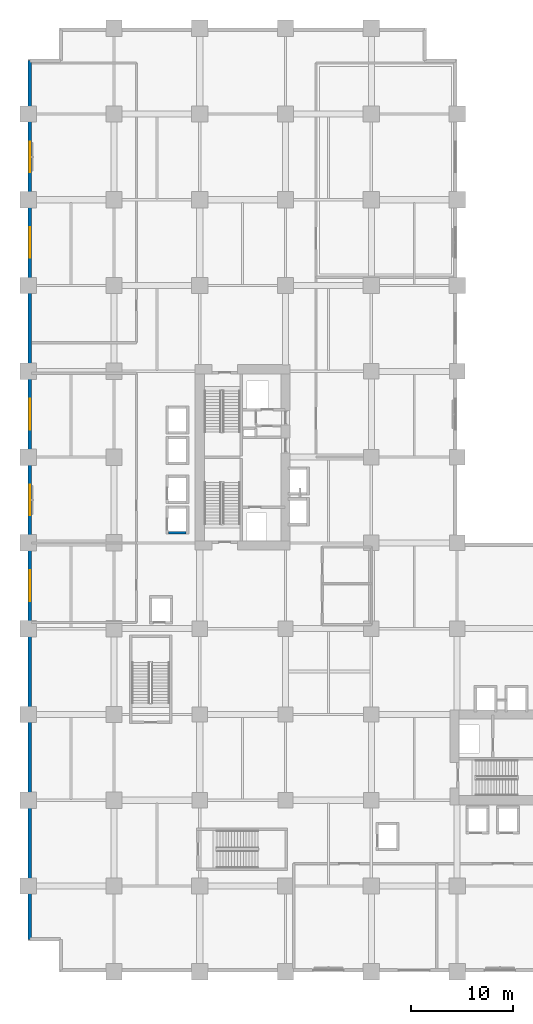
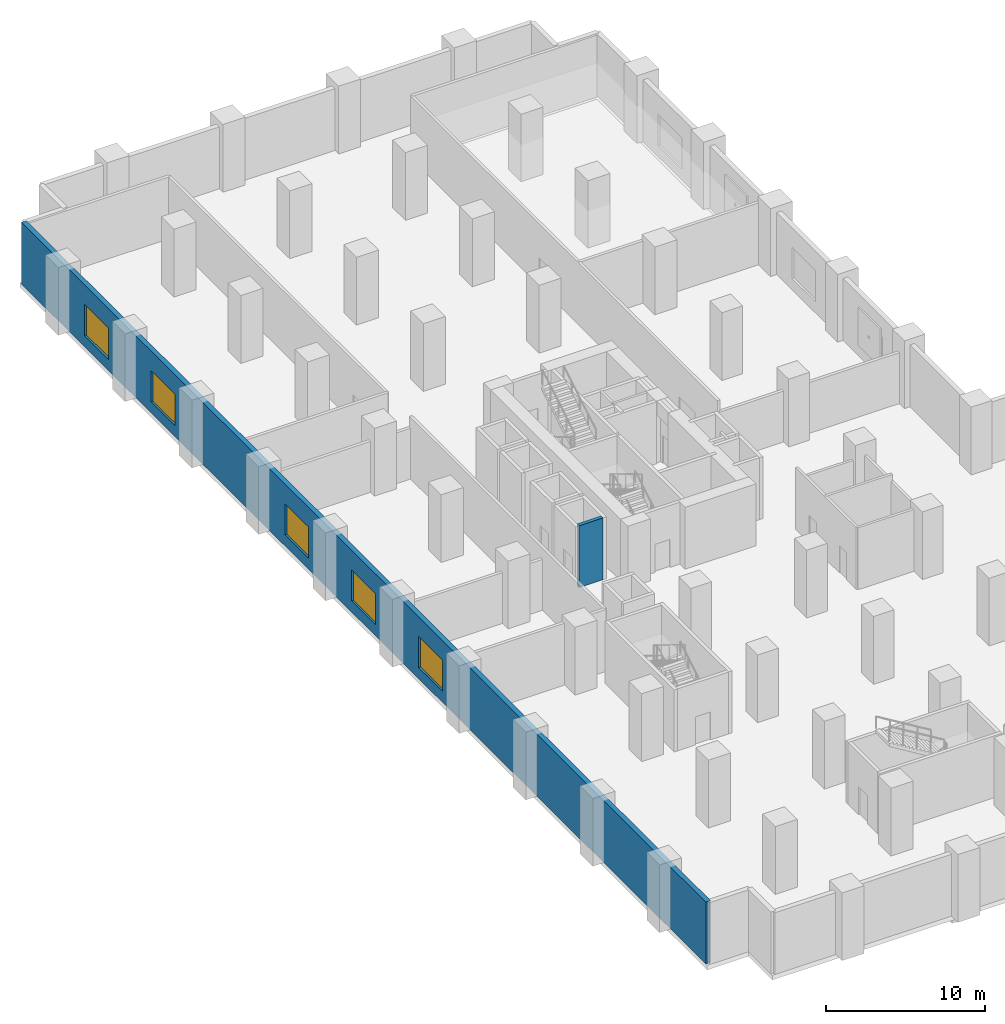
# One storey, part 11 of 23: 5 windows, 2 walls, 5 openings.
"""IFC4 building model written with IfcOpenShell, lengths in metres."""

from ifc_helpers import new_model, si_unit, direction, frame, frame_2d, origin, place, context, subcontext, project, spatial, rectangle, extrude, material, layer, layer_set, type_object, element, fill, save


model = new_model("IFC4")

# Units and contexts
model_context = context("Model", 3, precision=1e-05, world=origin(), true_north=direction((0.0, 1.0)))
body_context = subcontext(model_context, "Body", "Model", "MODEL_VIEW")
ifc_project = project(units=[si_unit("LENGTHUNIT", "METRE"), si_unit("AREAUNIT", "SQUARE_METRE"), si_unit("VOLUMEUNIT", "CUBIC_METRE"), si_unit("PLANEANGLEUNIT", "RADIAN"), si_unit("MASSUNIT", "GRAM", prefix="KILO")], contexts=[model_context])

# Site, building, storey
site_placement = place(None, origin())
site = spatial("IfcSite", under=ifc_project, at=site_placement, CompositionType="ELEMENT")
building_placement = place(site_placement, origin())
building = spatial("IfcBuilding", under=site, at=building_placement, Name="Koriwani Terraces Tower", CompositionType="ELEMENT")
storey_placement = place(building_placement, frame((0.0, 0.0, 20.800048828125)))
storey = spatial("IfcBuildingStorey", under=building, at=storey_placement, Name="L04", CompositionType="ELEMENT", Elevation=20.800048828125)

# Wall, openings, windows
ifc_material_1 = material(Name="Concrete C50/60", Category="concrete")
ifc_layer_1 = layer(ifc_material_1, 0.35009765625, Name="Concrete C50/60")
ifc_layer_set_1 = layer_set([ifc_layer_1], Name="Concrete C50/60")
wall_type_1 = type_object("IfcWallType", Name="WALL_EXT_BRUTALIST_350", PredefinedType="STANDARD", material=ifc_layer_set_1)
wall_1_placement = place(storey_placement, frame((0.175048828125, 3.175048828125, 0.0), z_axis=(0.0, 0.0, 1.0), x_axis=(0.0, 1.0, 0.0)))
wall_1 = element("IfcWall", 1, at=wall_1_placement, inside=storey, type_object=wall_type_1, Name="L04 Fair-Faced Brutalist Exterior Wall (W)", PredefinedType="STANDARD", context=body_context, shape_type="SweptSolid", body=[
    extrude(rectangle(XDim=86.050048828125, YDim=0.35009765625, at=frame_2d((43.02490234375, 0.0))), origin(), (0.0, 0.0, 1.0), 4.75),
])
opening_1_placement = place(wall_1_placement, frame((33.125, 0.0, 0.85009765625)))
opening_1 = element("IfcOpeningElement", 2, at=opening_1_placement, cuts=wall_1, Name="Opening W-06", PredefinedType="OPENING", context=body_context, shape_type="SweptSolid", body=[
    extrude(rectangle(XDim=3.0, YDim=2.39990234375, at=frame_2d((1.5, 1.199951171875))), frame((0.0, 0.18505859375, 0.0), z_axis=(0.0, -1.0, 0.0), x_axis=(1.0, 0.0, 0.0)), (0.0, 0.0, 1.0), 0.3701171875),
])
opening_2_placement = place(wall_1_placement, frame((41.52490234375, 0.0, 0.85009765625)))
opening_2 = element("IfcOpeningElement", 3, at=opening_2_placement, cuts=wall_1, Name="Opening W-06", PredefinedType="OPENING", context=body_context, shape_type="SweptSolid", body=[
    extrude(rectangle(XDim=3.0, YDim=2.39990234375, at=frame_2d((1.5, 1.199951171875))), frame((0.0, 0.18505859375, 0.0), z_axis=(0.0, -1.0, 0.0), x_axis=(1.0, 0.0, 0.0)), (0.0, 0.0, 1.0), 0.3701171875),
])
opening_3_placement = place(wall_1_placement, frame((49.925048828125, 0.0, 0.85009765625)))
opening_3 = element("IfcOpeningElement", 4, at=opening_3_placement, cuts=wall_1, Name="Opening W-06", PredefinedType="OPENING", context=body_context, shape_type="SweptSolid", body=[
    extrude(rectangle(XDim=3.0, YDim=2.39990234375, at=frame_2d((1.5, 1.199951171875))), frame((0.0, 0.18505859375, 0.0), z_axis=(0.0, -1.0, 0.0), x_axis=(1.0, 0.0, 0.0)), (0.0, 0.0, 1.0), 0.3701171875),
])
opening_4_placement = place(wall_1_placement, frame((66.72509765625, 0.0, 0.85009765625)))
opening_4 = element("IfcOpeningElement", 5, at=opening_4_placement, cuts=wall_1, Name="Opening W-06", PredefinedType="OPENING", context=body_context, shape_type="SweptSolid", body=[
    extrude(rectangle(XDim=3.0, YDim=2.39990234375, at=frame_2d((1.5, 1.199951171875))), frame((0.0, 0.18505859375, 0.0), z_axis=(0.0, -1.0, 0.0), x_axis=(1.0, 0.0, 0.0)), (0.0, 0.0, 1.0), 0.3701171875),
])
opening_5_placement = place(wall_1_placement, frame((75.125, 0.0, 0.85009765625)))
opening_5 = element("IfcOpeningElement", 6, at=opening_5_placement, cuts=wall_1, Name="Opening W-06", PredefinedType="OPENING", context=body_context, shape_type="SweptSolid", body=[
    extrude(rectangle(XDim=3.0, YDim=2.39990234375, at=frame_2d((1.5, 1.199951171875))), frame((0.0, 0.18505859375, 0.0), z_axis=(0.0, -1.0, 0.0), x_axis=(1.0, 0.0, 0.0)), (0.0, 0.0, 1.0), 0.3701171875),
])
ifc_material_2 = material(Name="Tempered Laminated Low-E Glass", Category="glass")
window_type = type_object("IfcWindowType", Name="WIN_PODIUM_PUNCHED_3000X2400", PartitioningType="TRIPLE_PANEL_VERTICAL", PredefinedType="WINDOW", material=ifc_material_2)
window_1_placement = place(opening_1_placement, origin())
window_1 = element("IfcWindow", 7, at=window_1_placement, inside=storey, type_object=window_type, Name="L04 Exterior Window (W-12)", OverallHeight=2.39990234375, OverallWidth=3.0, PartitioningType="SINGLE_PANEL", PredefinedType="WINDOW", context=body_context, shape_type="SweptSolid", body=[
    extrude(rectangle(XDim=3.0, YDim=2.39990234375, at=frame_2d((1.5, 1.199951171875))), frame((0.0, 0.030029296875, 0.0), z_axis=(0.0, -1.0, 0.0), x_axis=(1.0, 0.0, 0.0)), (0.0, 0.0, 1.0), 0.06005859375),
])
fill(opening_1, window_1)
window_2_placement = place(opening_2_placement, origin())
window_2 = element("IfcWindow", 8, at=window_2_placement, inside=storey, type_object=window_type, Name="L04 Exterior Window (W-15)", OverallHeight=2.39990234375, OverallWidth=3.0, PartitioningType="SINGLE_PANEL", PredefinedType="WINDOW", context=body_context, shape_type="SweptSolid", body=[
    extrude(rectangle(XDim=3.0, YDim=2.39990234375, at=frame_2d((1.5, 1.199951171875))), frame((0.0, 0.030029296875, 0.0), z_axis=(0.0, -1.0, 0.0), x_axis=(1.0, 0.0, 0.0)), (0.0, 0.0, 1.0), 0.06005859375),
])
fill(opening_2, window_2)
window_3_placement = place(opening_3_placement, origin())
window_3 = element("IfcWindow", 9, at=window_3_placement, inside=storey, type_object=window_type, Name="L04 Exterior Window (W-18)", OverallHeight=2.39990234375, OverallWidth=3.0, PartitioningType="SINGLE_PANEL", PredefinedType="WINDOW", context=body_context, shape_type="SweptSolid", body=[
    extrude(rectangle(XDim=3.0, YDim=2.39990234375, at=frame_2d((1.5, 1.199951171875))), frame((0.0, 0.030029296875, 0.0), z_axis=(0.0, -1.0, 0.0), x_axis=(1.0, 0.0, 0.0)), (0.0, 0.0, 1.0), 0.06005859375),
])
fill(opening_3, window_3)
window_4_placement = place(opening_4_placement, origin())
window_4 = element("IfcWindow", 10, at=window_4_placement, inside=storey, type_object=window_type, Name="L04 Exterior Window (W-24)", OverallHeight=2.39990234375, OverallWidth=3.0, PartitioningType="SINGLE_PANEL", PredefinedType="WINDOW", context=body_context, shape_type="SweptSolid", body=[
    extrude(rectangle(XDim=3.0, YDim=2.39990234375, at=frame_2d((1.5, 1.199951171875))), frame((0.0, 0.030029296875, 0.0), z_axis=(0.0, -1.0, 0.0), x_axis=(1.0, 0.0, 0.0)), (0.0, 0.0, 1.0), 0.06005859375),
])
fill(opening_4, window_4)
window_5_placement = place(opening_5_placement, origin())
window_5 = element("IfcWindow", 11, at=window_5_placement, inside=storey, type_object=window_type, Name="L04 Exterior Window (W-27)", OverallHeight=2.39990234375, OverallWidth=3.0, PartitioningType="SINGLE_PANEL", PredefinedType="WINDOW", context=body_context, shape_type="SweptSolid", body=[
    extrude(rectangle(XDim=3.0, YDim=2.39990234375, at=frame_2d((1.5, 1.199951171875))), frame((0.0, 0.030029296875, 0.0), z_axis=(0.0, -1.0, 0.0), x_axis=(1.0, 0.0, 0.0)), (0.0, 0.0, 1.0), 0.06005859375),
])
fill(opening_5, window_5)

# Wall
ifc_material_3 = material(Name="Concrete C40/50", Category="concrete")
ifc_layer_2 = layer(ifc_material_3, 0.25, Name="Concrete C40/50")
ifc_layer_set_2 = layer_set([ifc_layer_2], Name="Concrete C40/50")
wall_type_2 = type_object("IfcWallType", Name="WALL_SHAFT_RATED_250", PredefinedType="SOLIDWALL", material=ifc_layer_set_2)
wall_2_placement = place(storey_placement, frame((13.72509765625, 43.0, 0.0), z_axis=(0.0, 0.0, 1.0), x_axis=(1.0, 0.0, 0.0)))
element("IfcWall", 12, at=wall_2_placement, inside=storey, type_object=wall_type_2, Name="L04 Interior Wall WIN-LF-PE-L1-L04-S", PredefinedType="SOLIDWALL", context=body_context, shape_type="SweptSolid", body=[
    extrude(rectangle(XDim=1.75, YDim=0.25, at=frame_2d((0.875, 0.0))), origin(), (0.0, 0.0, 1.0), 4.75),
])

save(model, "model.ifc")
